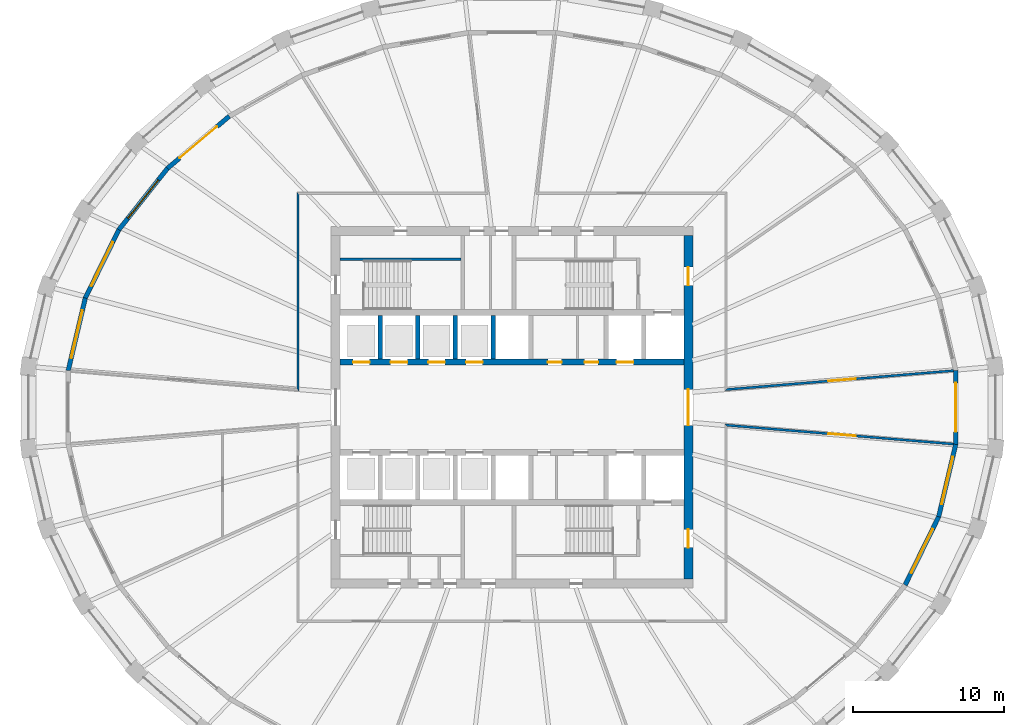
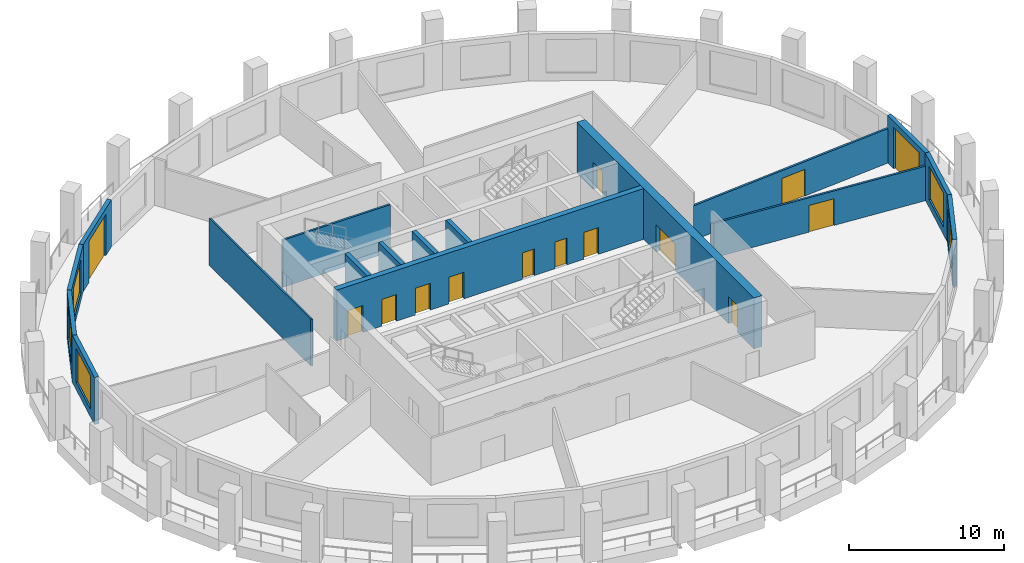
# One storey, part 5 of 10: 17 walls, 14 doors, 5 windows, 19 openings.
"""IFC4 building model written with IfcOpenShell, lengths in metres."""

from ifc_helpers import new_model, si_unit, direction, frame, frame_2d, origin, place, context, subcontext, project, spatial, polyline, rectangle, outline, extrude, material, layer, layer_set, type_object, element, fill, save


model = new_model("IFC4")

# Units and contexts
model_context = context("Model", 3, precision=1e-05, world=origin(), true_north=direction((0.0, 1.0)))
body_context = subcontext(model_context, "Body", "Model", "MODEL_VIEW")
ifc_project = project(units=[si_unit("LENGTHUNIT", "METRE"), si_unit("AREAUNIT", "SQUARE_METRE"), si_unit("VOLUMEUNIT", "CUBIC_METRE"), si_unit("PLANEANGLEUNIT", "RADIAN"), si_unit("MASSUNIT", "GRAM", prefix="KILO")], contexts=[model_context])

# Site, building, storey
site_placement = place(None, origin())
site = spatial("IfcSite", under=ifc_project, at=site_placement, CompositionType="ELEMENT")
building_placement = place(site_placement, origin())
building = spatial("IfcBuilding", under=site, at=building_placement, Name="Halqa Exchange Tower", CompositionType="ELEMENT")
storey_placement = place(building_placement, frame((0.0, 0.0, 202.89990234375)))
storey = spatial("IfcBuildingStorey", under=building, at=storey_placement, Name="L46", CompositionType="ELEMENT", Elevation=202.89990234375)

# Wall, opening, door
ifc_material_1 = material(Name="Fire-rated gypsum board")
ifc_layer_1 = layer(ifc_material_1, 0.14990234375)
ifc_layer_set_1 = layer_set([ifc_layer_1], Name="Fire-rated gypsum board")
wall_type_1 = type_object("IfcWallType", Name="Fire partition EI 60 150", PredefinedType="PARTITIONING", material=ifc_layer_set_1)
wall_1_placement = place(storey_placement, frame((14.118896484375, 1.173095703125, 0.0), z_axis=(0.0, 0.0, 1.0), x_axis=(0.996562771728, 0.082841064731, 0.0)))
wall_1 = element("IfcWall", 1, at=wall_1_placement, inside=storey, type_object=wall_type_1, Name="L46-PWL-019", PredefinedType="PARTITIONING", context=body_context, shape_type="SweptSolid", body=[
    extrude(outline(polyline([(15.2216796875, -0.074951171875), (15.2216796875, 0.044677734375), (15.217041015625, 0.074951171875), (13.33544921875, 0.074951171875), (11.45361328125, 0.074951171875), (9.57177734375, 0.074951171875), (7.68994140625, 0.074951171875), (5.80810546875, 0.074951171875), (3.92626953125, 0.074951171875), (2.04443359375, 0.074951171875), (0.16259765625, 0.074951171875), (0.081298828125, 0.000244140625), (0.0, -0.07470703125), (0.0, -0.074951171875), (1.90283203125, -0.074951171875), (3.805419921875, -0.074951171875), (5.7080078125, -0.074951171875), (7.61083984375, -0.074951171875), (9.513671875, -0.074951171875), (11.416259765625, -0.074951171875), (13.31884765625, -0.074951171875), (15.2216796875, -0.074951171875)])), origin(), (0.0, 0.0, 1.0), 2.710205078125),
])
opening_1_placement = place(wall_1_placement, frame((6.907958984375, 0.0, 0.0)))
opening_1 = element("IfcOpeningElement", 2, at=opening_1_placement, cuts=wall_1, Name="Opening 14-08", PredefinedType="OPENING", context=body_context, shape_type="SweptSolid", body=[
    extrude(rectangle(XDim=1.800048828125, YDim=2.10009765625, at=frame_2d((0.89990234375, 1.050048828125))), frame((0.0, 0.0869140625, 0.0), z_axis=(0.0, -1.0, 0.0), x_axis=(1.0, 0.0, 0.0)), (0.0, 0.0, 1.0), 0.173828125),
])
ifc_material_2 = material(Name="Steel fire door leaf", Category="steel")
door_type_1 = type_object("IfcDoorType", Name="Fire door FD30S double 1800 x 2100", OperationType="DOUBLE_DOOR_SINGLE_SWING", PredefinedType="DOOR", material=ifc_material_2)
door_1_placement = place(opening_1_placement, origin())
door_1 = element("IfcDoor", 3, at=door_1_placement, inside=storey, type_object=door_type_1, Name="L46-IDR-008", OperationType="DOUBLE_DOOR_SINGLE_SWING", OverallHeight=2.10009765625, OverallWidth=1.800048828125, PredefinedType="DOOR", context=body_context, shape_type="SweptSolid", body=[
    extrude(rectangle(XDim=1.800048828125, YDim=2.10009765625, at=frame_2d((0.89990234375, 1.050048828125))), frame((0.0, 0.02490234375, 0.0), z_axis=(0.0, -1.0, 0.0), x_axis=(1.0, 0.0, 0.0)), (0.0, 0.0, 1.0), 0.050048828125),
])
fill(opening_1, door_1)

wall_2_placement = place(storey_placement, frame((29.288330078125, -2.43408203125, 0.0), z_axis=(0.0, 0.0, 1.0), x_axis=(-0.996562771728, 0.082841064731, 0.0)))
wall_2 = element("IfcWall", 4, at=wall_2_placement, inside=storey, type_object=wall_type_1, Name="L46-PWL-021", PredefinedType="PARTITIONING", context=body_context, shape_type="SweptSolid", body=[
    extrude(outline(polyline([(15.2216796875, -0.074951171875), (15.2216796875, -0.07470703125), (15.140380859375, 0.000244140625), (15.05908203125, 0.074951171875), (13.17724609375, 0.074951171875), (11.29541015625, 0.074951171875), (9.41357421875, 0.074951171875), (7.53173828125, 0.074951171875), (5.650146484375, 0.074951171875), (3.768310546875, 0.074951171875), (1.886474609375, 0.074951171875), (0.004638671875, 0.074951171875), (0.0, 0.044189453125), (0.0, -0.074951171875), (1.90283203125, -0.074951171875), (3.805419921875, -0.074951171875), (5.7080078125, -0.074951171875), (7.61083984375, -0.074951171875), (9.513671875, -0.074951171875), (11.416259765625, -0.074951171875), (13.31884765625, -0.074951171875), (15.2216796875, -0.074951171875)])), origin(), (0.0, 0.0, 1.0), 2.710205078125),
])
opening_2_placement = place(wall_2_placement, frame((6.513916015625, 0.0, 0.0)))
opening_2 = element("IfcOpeningElement", 5, at=opening_2_placement, cuts=wall_2, Name="Opening 14-07", PredefinedType="OPENING", context=body_context, shape_type="SweptSolid", body=[
    extrude(rectangle(XDim=1.800048828125, YDim=2.10009765625, at=frame_2d((0.89990234375, 1.050048828125))), frame((0.0, 0.0869140625, 0.0), z_axis=(0.0, -1.0, 0.0), x_axis=(1.0, 0.0, 0.0)), (0.0, 0.0, 1.0), 0.173828125),
])
door_2_placement = place(opening_2_placement, origin())
door_2 = element("IfcDoor", 6, at=door_2_placement, inside=storey, type_object=door_type_1, Name="L46-IDR-007", OperationType="DOUBLE_DOOR_SINGLE_SWING", OverallHeight=2.10009765625, OverallWidth=1.800048828125, PredefinedType="DOOR", context=body_context, shape_type="SweptSolid", body=[
    extrude(rectangle(XDim=1.800048828125, YDim=2.10009765625, at=frame_2d((0.89990234375, 1.050048828125))), frame((0.0, 0.02490234375, 0.0), z_axis=(0.0, -1.0, 0.0), x_axis=(1.0, 0.0, 0.0)), (0.0, 0.0, 1.0), 0.050048828125),
])
fill(opening_2, door_2)

# Walls
ifc_material_3 = material(Name="Fire-rated glazing", Category="glass")
ifc_layer_2 = layer(ifc_material_3, 0.1201171875)
ifc_layer_set_2 = layer_set([ifc_layer_2], Name="Fire-rated glazing")
wall_type_2 = type_object("IfcWallType", Name="Glazed fire partition EI 60 120", PredefinedType="PARTITIONING", material=ifc_layer_set_2)
wall_3_placement = place(storey_placement, frame((-14.199951171875, 1.11474609375, 0.0), z_axis=(0.0, 0.0, 1.0), x_axis=(0.0, 1.0, 0.0)))
element("IfcWall", 7, at=wall_3_placement, inside=storey, type_object=wall_type_2, Name="L46-PWL-007", PredefinedType="PARTITIONING", context=body_context, shape_type="SweptSolid", body=[
    extrude(outline(polyline([(0.0, -0.06005859375), (1.86083984375, -0.06005859375), (3.721435546875, -0.06005859375), (5.582275390625, -0.06005859375), (7.44287109375, -0.06005859375), (9.3037109375, -0.06005859375), (11.164306640625, -0.06005859375), (13.025146484375, -0.06005859375), (13.145263671875, 0.06005859375), (11.285888671875, 0.06005859375), (9.4267578125, 0.06005859375), (7.5673828125, 0.06005859375), (5.708251953125, 0.06005859375), (3.848876953125, 0.06005859375), (1.98974609375, 0.06005859375), (0.13037109375, 0.06005859375), (0.0, -0.06005859375), (0.0, -0.06005859375)])), origin(), (0.0, 0.0, 1.0), 3.7001953125),
])
ifc_material_4 = material(Name="Concrete C60/75", Category="concrete")
ifc_layer_3 = layer(ifc_material_4, 0.300048828125)
ifc_layer_set_3 = layer_set([ifc_layer_3], Name="Concrete C60/75")
wall_type_3 = type_object("IfcWallType", Name="RC core wall 300", PredefinedType="SHEAR", material=ifc_layer_set_3)
for number, where, z_axis, x_axis, name in (
    (8, (-8.75, 3.199951171875, 0.0), (0.0, 0.0, 1.0), (0.0, 1.0, 0.0), "Shaft divider N1"),
    (9, (-6.25, 3.199951171875, 0.0), (0.0, 0.0, 1.0), (0.0, 1.0, 0.0), "Shaft divider N2"),
    (10, (-3.75, 3.199951171875, 0.0), (0.0, 0.0, 1.0), (0.0, 1.0, 0.0), "Shaft divider N3"),
    (11, (-1.25, 3.199951171875, 0.0), (0.0, 0.0, 1.0), (0.0, 1.0, 0.0), "Shaft divider N4"),
):
    element("IfcWall", number, at=place(storey_placement, frame(where, z_axis=z_axis, x_axis=x_axis)), inside=storey, type_object=wall_type_3, Name=name, PredefinedType="SHEAR", context=body_context, shape_type="SweptSolid", body=[
        extrude(rectangle(XDim=2.900146484375, YDim=0.300048828125, at=frame_2d((1.4501953125, 0.0))), origin(), (0.0, 0.0, 1.0), 4.0),
    ])

# Wall, openings, doors
ifc_material_5 = material(Name="Concrete C70/85", Category="concrete")
ifc_layer_4 = layer(ifc_material_5, 0.39990234375)
ifc_layer_set_4 = layer_set([ifc_layer_4], Name="Concrete C70/85")
wall_type_4 = type_object("IfcWallType", Name="RC core wall 400 C70/85", PredefinedType="SHEAR", material=ifc_layer_set_4)
wall_4_placement = place(storey_placement, frame((-11.39990234375, 3.0, 0.0), z_axis=(0.0, 0.0, 1.0), x_axis=(1.0, 0.0, 0.0)))
wall_4 = element("IfcWall", 12, at=wall_4_placement, inside=storey, type_object=wall_type_4, Name="Lift row front wall N", PredefinedType="SHEAR", context=body_context, shape_type="SweptSolid", body=[
    extrude(rectangle(XDim=22.7998046875, YDim=0.39990234375, at=frame_2d((11.39990234375, 0.0))), origin(), (0.0, 0.0, 1.0), 4.0),
])
opening_3_placement = place(wall_4_placement, frame((0.85009765625, 0.0, 0.0)))
opening_3 = element("IfcOpeningElement", 13, at=opening_3_placement, cuts=wall_4, Name="Opening LD-HR1-T14", PredefinedType="OPENING", context=body_context, shape_type="SweptSolid", body=[
    extrude(rectangle(XDim=1.10009765625, YDim=2.10009765625, at=frame_2d((0.550048828125, 1.050048828125))), frame((0.0, 0.2119140625, 0.0), z_axis=(0.0, -1.0, 0.0), x_axis=(1.0, 0.0, 0.0)), (0.0, 0.0, 1.0), 0.423828125),
])
opening_4_placement = place(wall_4_placement, frame((3.35009765625, 0.0, 0.0)))
opening_4 = element("IfcOpeningElement", 14, at=opening_4_placement, cuts=wall_4, Name="Opening LD-HR2-T14", PredefinedType="OPENING", context=body_context, shape_type="SweptSolid", body=[
    extrude(rectangle(XDim=1.10009765625, YDim=2.10009765625, at=frame_2d((0.550048828125, 1.050048828125))), frame((0.0, 0.2119140625, 0.0), z_axis=(0.0, -1.0, 0.0), x_axis=(1.0, 0.0, 0.0)), (0.0, 0.0, 1.0), 0.423828125),
])
opening_5_placement = place(wall_4_placement, frame((5.85009765625, 0.0, 0.0)))
opening_5 = element("IfcOpeningElement", 15, at=opening_5_placement, cuts=wall_4, Name="Opening LD-MR1-T14", PredefinedType="OPENING", context=body_context, shape_type="SweptSolid", body=[
    extrude(rectangle(XDim=1.10009765625, YDim=2.10009765625, at=frame_2d((0.550048828125, 1.050048828125))), frame((0.0, 0.2119140625, 0.0), z_axis=(0.0, -1.0, 0.0), x_axis=(1.0, 0.0, 0.0)), (0.0, 0.0, 1.0), 0.423828125),
])
opening_6_placement = place(wall_4_placement, frame((8.35009765625, 0.0, 0.0)))
opening_6 = element("IfcOpeningElement", 16, at=opening_6_placement, cuts=wall_4, Name="Opening LD-MR2-T14", PredefinedType="OPENING", context=body_context, shape_type="SweptSolid", body=[
    extrude(rectangle(XDim=1.10009765625, YDim=2.10009765625, at=frame_2d((0.550048828125, 1.050048828125))), frame((0.0, 0.2119140625, 0.0), z_axis=(0.0, -1.0, 0.0), x_axis=(1.0, 0.0, 0.0)), (0.0, 0.0, 1.0), 0.423828125),
])
opening_7_placement = place(wall_4_placement, frame((18.35009765625, 0.0, 0.0)))
opening_7 = element("IfcOpeningElement", 17, at=opening_7_placement, cuts=wall_4, Name="Opening LD-SV1-T14", PredefinedType="OPENING", context=body_context, shape_type="SweptSolid", body=[
    extrude(rectangle(XDim=1.10009765625, YDim=2.10009765625, at=frame_2d((0.550048828125, 1.050048828125))), frame((0.0, 0.2119140625, 0.0), z_axis=(0.0, -1.0, 0.0), x_axis=(1.0, 0.0, 0.0)), (0.0, 0.0, 1.0), 0.423828125),
])
opening_8_placement = place(wall_4_placement, frame((13.78759765625, 0.0, 0.0)))
opening_8 = element("IfcOpeningElement", 18, at=opening_8_placement, cuts=wall_4, Name="Opening T14-C31", PredefinedType="OPENING", context=body_context, shape_type="SweptSolid", body=[
    extrude(rectangle(XDim=0.89990234375, YDim=2.10009765625, at=frame_2d((0.449951171875, 1.050048828125))), frame((0.0, 0.2119140625, 0.0), z_axis=(0.0, -1.0, 0.0), x_axis=(1.0, 0.0, 0.0)), (0.0, 0.0, 1.0), 0.423828125),
])
opening_9_placement = place(wall_4_placement, frame((16.21240234375, 0.0, 0.0)))
opening_9 = element("IfcOpeningElement", 19, at=opening_9_placement, cuts=wall_4, Name="Opening T14-C32", PredefinedType="OPENING", context=body_context, shape_type="SweptSolid", body=[
    extrude(rectangle(XDim=0.89990234375, YDim=2.10009765625, at=frame_2d((0.449951171875, 1.050048828125))), frame((0.0, 0.2119140625, 0.0), z_axis=(0.0, -1.0, 0.0), x_axis=(1.0, 0.0, 0.0)), (0.0, 0.0, 1.0), 0.423828125),
])
ifc_material_6 = material(Name="Timber fire door leaf", Category="wood")
door_type_2 = type_object("IfcDoorType", Name="Core room door FD30 900 x 2100", OperationType="SINGLE_SWING_LEFT", PredefinedType="DOOR", material=ifc_material_6)
door_3_placement = place(opening_8_placement, origin())
door_3 = element("IfcDoor", 20, at=door_3_placement, inside=storey, type_object=door_type_2, Name="Core room door", OperationType="SINGLE_SWING_RIGHT", OverallHeight=2.10009765625, OverallWidth=0.89990234375, PredefinedType="DOOR", context=body_context, shape_type="SweptSolid", body=[
    extrude(rectangle(XDim=0.89990234375, YDim=2.10009765625, at=frame_2d((0.449951171875, 1.050048828125))), frame((0.0, 0.02490234375, 0.0), z_axis=(0.0, -1.0, 0.0), x_axis=(1.0, 0.0, 0.0)), (0.0, 0.0, 1.0), 0.050048828125),
])
fill(opening_8, door_3)
door_4_placement = place(opening_9_placement, origin())
door_4 = element("IfcDoor", 21, at=door_4_placement, inside=storey, type_object=door_type_2, Name="Core room door", OperationType="SINGLE_SWING_RIGHT", OverallHeight=2.10009765625, OverallWidth=0.89990234375, PredefinedType="DOOR", context=body_context, shape_type="SweptSolid", body=[
    extrude(rectangle(XDim=0.89990234375, YDim=2.10009765625, at=frame_2d((0.449951171875, 1.050048828125))), frame((0.0, 0.02490234375, 0.0), z_axis=(0.0, -1.0, 0.0), x_axis=(1.0, 0.0, 0.0)), (0.0, 0.0, 1.0), 0.050048828125),
])
fill(opening_9, door_4)
ifc_material_7 = material(Name="Stainless steel", Category="steel")
door_type_3 = type_object("IfcDoorType", Name="Lift landing door 1100 x 2100", OperationType="SLIDING_TO_LEFT", PredefinedType="DOOR", material=ifc_material_7)
door_5_placement = place(opening_3_placement, origin())
door_5 = element("IfcDoor", 22, at=door_5_placement, inside=storey, type_object=door_type_3, Name="Lift landing door HR1", OperationType="SLIDING_TO_LEFT", OverallHeight=2.10009765625, OverallWidth=1.10009765625, PredefinedType="DOOR", context=body_context, shape_type="SweptSolid", body=[
    extrude(rectangle(XDim=1.10009765625, YDim=2.10009765625, at=frame_2d((0.550048828125, 1.050048828125))), frame((0.0, 0.02490234375, 0.0), z_axis=(0.0, -1.0, 0.0), x_axis=(1.0, 0.0, 0.0)), (0.0, 0.0, 1.0), 0.050048828125),
])
fill(opening_3, door_5)
door_6_placement = place(opening_4_placement, origin())
door_6 = element("IfcDoor", 23, at=door_6_placement, inside=storey, type_object=door_type_3, Name="Lift landing door HR2", OperationType="SLIDING_TO_LEFT", OverallHeight=2.10009765625, OverallWidth=1.10009765625, PredefinedType="DOOR", context=body_context, shape_type="SweptSolid", body=[
    extrude(rectangle(XDim=1.10009765625, YDim=2.10009765625, at=frame_2d((0.550048828125, 1.050048828125))), frame((0.0, 0.02490234375, 0.0), z_axis=(0.0, -1.0, 0.0), x_axis=(1.0, 0.0, 0.0)), (0.0, 0.0, 1.0), 0.050048828125),
])
fill(opening_4, door_6)
door_7_placement = place(opening_5_placement, origin())
door_7 = element("IfcDoor", 24, at=door_7_placement, inside=storey, type_object=door_type_3, Name="Lift landing door MR1", OperationType="SLIDING_TO_LEFT", OverallHeight=2.10009765625, OverallWidth=1.10009765625, PredefinedType="DOOR", context=body_context, shape_type="SweptSolid", body=[
    extrude(rectangle(XDim=1.10009765625, YDim=2.10009765625, at=frame_2d((0.550048828125, 1.050048828125))), frame((0.0, 0.02490234375, 0.0), z_axis=(0.0, -1.0, 0.0), x_axis=(1.0, 0.0, 0.0)), (0.0, 0.0, 1.0), 0.050048828125),
])
fill(opening_5, door_7)
door_8_placement = place(opening_6_placement, origin())
door_8 = element("IfcDoor", 25, at=door_8_placement, inside=storey, type_object=door_type_3, Name="Lift landing door MR2", OperationType="SLIDING_TO_LEFT", OverallHeight=2.10009765625, OverallWidth=1.10009765625, PredefinedType="DOOR", context=body_context, shape_type="SweptSolid", body=[
    extrude(rectangle(XDim=1.10009765625, YDim=2.10009765625, at=frame_2d((0.550048828125, 1.050048828125))), frame((0.0, 0.02490234375, 0.0), z_axis=(0.0, -1.0, 0.0), x_axis=(1.0, 0.0, 0.0)), (0.0, 0.0, 1.0), 0.050048828125),
])
fill(opening_6, door_8)
door_9_placement = place(opening_7_placement, origin())
door_9 = element("IfcDoor", 26, at=door_9_placement, inside=storey, type_object=door_type_3, Name="Lift landing door SV1", OperationType="SLIDING_TO_LEFT", OverallHeight=2.10009765625, OverallWidth=1.10009765625, PredefinedType="DOOR", context=body_context, shape_type="SweptSolid", body=[
    extrude(rectangle(XDim=1.10009765625, YDim=2.10009765625, at=frame_2d((0.550048828125, 1.050048828125))), frame((0.0, 0.02490234375, 0.0), z_axis=(0.0, -1.0, 0.0), x_axis=(1.0, 0.0, 0.0)), (0.0, 0.0, 1.0), 0.050048828125),
])
fill(opening_7, door_9)

ifc_layer_5 = layer(ifc_material_5, 0.60009765625)
ifc_layer_set_5 = layer_set([ifc_layer_5], Name="Concrete C70/85")
wall_type_5 = type_object("IfcWallType", Name="RC core wall 600 C70/85", PredefinedType="SHEAR", material=ifc_layer_set_5)
wall_5_placement = place(storey_placement, frame((11.699951171875, -11.39990234375, 0.0), z_axis=(0.0, 0.0, 1.0), x_axis=(0.0, 1.0, 0.0)))
wall_5 = element("IfcWall", 27, at=wall_5_placement, inside=storey, type_object=wall_type_5, Name="Core wall east", PredefinedType="SHEAR", context=body_context, shape_type="SweptSolid", body=[
    extrude(rectangle(XDim=22.7998046875, YDim=0.60009765625, at=frame_2d((11.39990234375, 0.0))), origin(), (0.0, 0.0, 1.0), 4.0),
])
opening_10_placement = place(wall_5_placement, frame((10.199951171875, 0.0, 0.0)))
opening_10 = element("IfcOpeningElement", 28, at=opening_10_placement, cuts=wall_5, Name="Opening T14-C14", PredefinedType="OPENING", context=body_context, shape_type="SweptSolid", body=[
    extrude(rectangle(XDim=2.39990234375, YDim=2.10009765625, at=frame_2d((1.199951171875, 1.050048828125))), frame((0.0, 0.31201171875, 0.0), z_axis=(0.0, -1.0, 0.0), x_axis=(1.0, 0.0, 0.0)), (0.0, 0.0, 1.0), 0.6240234375),
])
opening_11_placement = place(wall_5_placement, frame((19.5, 0.0, 0.0)))
opening_11 = element("IfcOpeningElement", 29, at=opening_11_placement, cuts=wall_5, Name="Opening T14-C19", PredefinedType="OPENING", context=body_context, shape_type="SweptSolid", body=[
    extrude(rectangle(XDim=1.199951171875, YDim=2.10009765625, at=frame_2d((0.60009765625, 1.050048828125))), frame((0.0, 0.31201171875, 0.0), z_axis=(0.0, -1.0, 0.0), x_axis=(1.0, 0.0, 0.0)), (0.0, 0.0, 1.0), 0.6240234375),
])
opening_12_placement = place(wall_5_placement, frame((2.10009765625, 0.0, 0.0)))
opening_12 = element("IfcOpeningElement", 30, at=opening_12_placement, cuts=wall_5, Name="Opening T14-C20", PredefinedType="OPENING", context=body_context, shape_type="SweptSolid", body=[
    extrude(rectangle(XDim=1.199951171875, YDim=2.10009765625, at=frame_2d((0.60009765625, 1.050048828125))), frame((0.0, 0.31201171875, 0.0), z_axis=(0.0, -1.0, 0.0), x_axis=(1.0, 0.0, 0.0)), (0.0, 0.0, 1.0), 0.6240234375),
])
door_type_4 = type_object("IfcDoorType", Name="Firefighting lobby door FD90 1200 x 2100", OperationType="SINGLE_SWING_RIGHT", PredefinedType="DOOR", material=ifc_material_2)
door_10_placement = place(opening_11_placement, origin())
door_10 = element("IfcDoor", 31, at=door_10_placement, inside=storey, type_object=door_type_4, Name="Firefighting lobby door", OperationType="SINGLE_SWING_RIGHT", OverallHeight=2.10009765625, OverallWidth=1.199951171875, PredefinedType="DOOR", context=body_context, shape_type="SweptSolid", body=[
    extrude(rectangle(XDim=1.199951171875, YDim=2.10009765625, at=frame_2d((0.60009765625, 1.050048828125))), frame((0.0, 0.02490234375, 0.0), z_axis=(0.0, -1.0, 0.0), x_axis=(1.0, 0.0, 0.0)), (0.0, 0.0, 1.0), 0.050048828125),
])
fill(opening_11, door_10)
door_11_placement = place(opening_12_placement, origin())
door_11 = element("IfcDoor", 32, at=door_11_placement, inside=storey, type_object=door_type_4, Name="Firefighting lobby door", OperationType="SINGLE_SWING_LEFT", OverallHeight=2.10009765625, OverallWidth=1.199951171875, PredefinedType="DOOR", context=body_context, shape_type="SweptSolid", body=[
    extrude(rectangle(XDim=1.199951171875, YDim=2.10009765625, at=frame_2d((0.60009765625, 1.050048828125))), frame((0.0, 0.02490234375, 0.0), z_axis=(0.0, -1.0, 0.0), x_axis=(1.0, 0.0, 0.0)), (0.0, 0.0, 1.0), 0.050048828125),
])
fill(opening_12, door_11)
door_type_5 = type_object("IfcDoorType", Name="Lobby double door FD60 2400 x 2100", OperationType="DOUBLE_DOOR_SINGLE_SWING", PredefinedType="DOOR", material=ifc_material_2)
door_12_placement = place(opening_10_placement, origin())
door_12 = element("IfcDoor", 33, at=door_12_placement, inside=storey, type_object=door_type_5, Name="Lift lobby double door", OperationType="DOUBLE_DOOR_SINGLE_SWING", OverallHeight=2.10009765625, OverallWidth=2.39990234375, PredefinedType="DOOR", context=body_context, shape_type="SweptSolid", body=[
    extrude(rectangle(XDim=2.39990234375, YDim=2.10009765625, at=frame_2d((1.199951171875, 1.050048828125))), frame((0.0, 0.02490234375, 0.0), z_axis=(0.0, -1.0, 0.0), x_axis=(1.0, 0.0, 0.0)), (0.0, 0.0, 1.0), 0.050048828125),
])
fill(opening_10, door_12)

# Wall
ifc_material_8 = material(Name="Concrete C30/37", Category="concrete")
ifc_layer_6 = layer(ifc_material_8, 0.14990234375)
ifc_layer_set_6 = layer_set([ifc_layer_6], Name="Concrete C30/37")
wall_type_6 = type_object("IfcWallType", Name="RC stair wall 150 C30/37", PredefinedType="SHEAR", material=ifc_layer_set_6)
wall_6_placement = place(storey_placement, frame((-11.39990234375, 9.824951171875, 0.0), z_axis=(0.0, 0.0, 1.0), x_axis=(1.0, 0.0, 0.0)))
element("IfcWall", 34, at=wall_6_placement, inside=storey, type_object=wall_type_6, Name="Stair ST1 north wall N", PredefinedType="SHEAR", context=body_context, shape_type="SweptSolid", body=[
    extrude(rectangle(XDim=8.0, YDim=0.14990234375, at=frame_2d((4.0, 0.0))), origin(), (0.0, 0.0, 1.0), 3.7001953125),
])

# Wall, opening, door
ifc_material_9 = material(Name="Limestone cladding", Category="masonry")
ifc_layer_7 = layer(ifc_material_9, 0.0400390625)
ifc_material_10 = material(Name="Ventilated cavity")
ifc_layer_8 = layer(ifc_material_10, 0.030029296875, ventilated=True)
ifc_material_11 = material(Name="Mineral wool insulation")
ifc_layer_9 = layer(ifc_material_11, 0.10009765625)
ifc_layer_10 = layer(ifc_material_8, 0.10009765625)
ifc_material_12 = material(Name="Internal plaster")
ifc_layer_11 = layer(ifc_material_12, 0.030029296875)
ifc_layer_set_7 = layer_set([ifc_layer_7, ifc_layer_8, ifc_layer_9, ifc_layer_10, ifc_layer_11], Name="Stone-faced insulated wall 300")
wall_type_7 = type_object("IfcWallType", Name="Stone-faced insulated wall 300", PredefinedType="STANDARD", material=ifc_layer_set_7)
wall_7_placement = place(storey_placement, frame((-18.760498046875, 19.318603515625, 0.0), z_axis=(0.0, 0.0, 1.0), x_axis=(-0.764386053229, -0.6447588399, 0.0)))
wall_7 = element("IfcWall", 35, at=wall_7_placement, inside=storey, type_object=wall_type_7, Name="Glass-line wall 12", PredefinedType="STANDARD", context=body_context, shape_type="SweptSolid", body=[
    extrude(outline(polyline([(-0.01416015625, -0.14990234375), (5.382568359375, -0.14990234375), (5.352294921875, 0.14990234375), (0.01416015625, 0.14990234375), (-0.01416015625, -0.14990234375)])), origin(), (0.0, 0.0, 1.0), 3.7001953125),
])
opening_13_placement = place(wall_7_placement, frame((1.058837890625, 0.0, 0.0)))
opening_13 = element("IfcOpeningElement", 36, at=opening_13_placement, cuts=wall_7, Name="Opening LG-F3-03", PredefinedType="OPENING", context=body_context, shape_type="SweptSolid", body=[
    extrude(rectangle(XDim=3.25, YDim=3.25, at=frame_2d((1.625, 1.625))), frame((0.0, 0.162109375, 0.0), z_axis=(0.0, -1.0, 0.0), x_axis=(1.0, 0.0, 0.0)), (0.0, 0.0, 1.0), 0.323974609375),
])
ifc_material_13 = material(Name="Clear low-emissivity glass in aluminium frame", Category="aluminium")
door_type_6 = type_object("IfcDoorType", Name="Glazed sliding loggia door 3250 x 3250", OperationType="DOUBLE_DOOR_SLIDING", PredefinedType="DOOR", material=ifc_material_13)
door_13_placement = place(opening_13_placement, origin())
door_13 = element("IfcDoor", 37, at=door_13_placement, inside=storey, type_object=door_type_6, Name="Loggia door 3", OperationType="DOUBLE_DOOR_SLIDING", OverallHeight=3.25, OverallWidth=3.25, PredefinedType="DOOR", context=body_context, shape_type="SweptSolid", body=[
    extrude(rectangle(XDim=3.25, YDim=3.25, at=frame_2d((1.625, 1.625))), frame((0.0, 0.02490234375, 0.0), z_axis=(0.0, -1.0, 0.0), x_axis=(1.0, 0.0, 0.0)), (0.0, 0.0, 1.0), 0.050048828125),
])
fill(opening_13, door_13)

# Wall, opening, window
wall_8_placement = place(storey_placement, frame((-22.86328125, 15.85791015625, 0.0), z_axis=(0.0, 0.0, 1.0), x_axis=(-0.620870264345, -0.783913333763, 0.0)))
wall_8 = element("IfcWall", 38, at=wall_8_placement, inside=storey, type_object=wall_type_7, Name="Glass-line wall 13", PredefinedType="STANDARD", context=body_context, shape_type="SweptSolid", body=[
    extrude(outline(polyline([(-0.01513671875, -0.14990234375), (5.210693359375, -0.14990234375), (5.178466796875, 0.14990234375), (0.01513671875, 0.14990234375), (-0.01513671875, -0.14990234375)])), origin(), (0.0, 0.0, 1.0), 3.7001953125),
])
opening_14_placement = place(wall_8_placement, frame((0.97216796875, 0.0, 0.60009765625)))
opening_14 = element("IfcOpeningElement", 39, at=opening_14_placement, cuts=wall_8, Name="Opening W-F3-13", PredefinedType="OPENING", context=body_context, shape_type="SweptSolid", body=[
    extrude(rectangle(XDim=3.25, YDim=2.64990234375, at=frame_2d((1.625, 1.324951171875))), frame((0.0, 0.162109375, 0.0), z_axis=(0.0, -1.0, 0.0), x_axis=(1.0, 0.0, 0.0)), (0.0, 0.0, 1.0), 0.323974609375),
])
window_type = type_object("IfcWindowType", Name="Fixed clear glazed window 3250 x 2650", PartitioningType="TRIPLE_PANEL_VERTICAL", PredefinedType="WINDOW", material=ifc_material_13)
window_1_placement = place(opening_14_placement, origin())
window_1 = element("IfcWindow", 40, at=window_1_placement, inside=storey, type_object=window_type, Name="Window 3", OverallHeight=2.64990234375, OverallWidth=3.25, PartitioningType="TRIPLE_PANEL_VERTICAL", PredefinedType="WINDOW", context=body_context, shape_type="SweptSolid", body=[
    extrude(rectangle(XDim=3.25, YDim=2.64990234375, at=frame_2d((1.625, 1.324951171875))), frame((0.0, 0.030029296875, 0.0), z_axis=(0.0, -1.0, 0.0), x_axis=(1.0, 0.0, 0.0)), (0.0, 0.0, 1.0), 0.06005859375),
])
fill(opening_14, window_1)

wall_9_placement = place(storey_placement, frame((-26.08837890625, 11.785888671875, 0.0), z_axis=(0.0, 0.0, 1.0), x_axis=(-0.440773193145, -0.89761851151, 0.0)))
wall_9 = element("IfcWall", 41, at=wall_9_placement, inside=storey, type_object=wall_type_7, Name="Glass-line wall 14", PredefinedType="STANDARD", context=body_context, shape_type="SweptSolid", body=[
    extrude(outline(polyline([(-0.01611328125, -0.14990234375), (5.06005859375, -0.14990234375), (5.0263671875, 0.14990234375), (0.01611328125, 0.14990234375), (-0.01611328125, -0.14990234375)])), origin(), (0.0, 0.0, 1.0), 3.7001953125),
])
opening_15_placement = place(wall_9_placement, frame((0.896484375, 0.0, 0.60009765625)))
opening_15 = element("IfcOpeningElement", 42, at=opening_15_placement, cuts=wall_9, Name="Opening W-F3-14", PredefinedType="OPENING", context=body_context, shape_type="SweptSolid", body=[
    extrude(rectangle(XDim=3.25, YDim=2.64990234375, at=frame_2d((1.625, 1.324951171875))), frame((0.0, 0.162109375, 0.0), z_axis=(0.0, -1.0, 0.0), x_axis=(1.0, 0.0, 0.0)), (0.0, 0.0, 1.0), 0.323974609375),
])
window_2_placement = place(opening_15_placement, origin())
window_2 = element("IfcWindow", 43, at=window_2_placement, inside=storey, type_object=window_type, Name="Window 3", OverallHeight=2.64990234375, OverallWidth=3.25, PartitioningType="TRIPLE_PANEL_VERTICAL", PredefinedType="WINDOW", context=body_context, shape_type="SweptSolid", body=[
    extrude(rectangle(XDim=3.25, YDim=2.64990234375, at=frame_2d((1.625, 1.324951171875))), frame((0.0, 0.030029296875, 0.0), z_axis=(0.0, -1.0, 0.0), x_axis=(1.0, 0.0, 0.0)), (0.0, 0.0, 1.0), 0.06005859375),
])
fill(opening_15, window_2)

wall_10_placement = place(storey_placement, frame((-28.311279296875, 7.259033203125, 0.0), z_axis=(0.0, 0.0, 1.0), x_axis=(-0.229535186351, -0.973300363828, 0.0)))
wall_10 = element("IfcWall", 44, at=wall_10_placement, inside=storey, type_object=wall_type_7, Name="Glass-line wall 15", PredefinedType="STANDARD", context=body_context, shape_type="SweptSolid", body=[
    extrude(outline(polyline([(-0.016845703125, -0.14990234375), (4.956787109375, -0.14990234375), (4.922119140625, 0.14990234375), (0.016845703125, 0.14990234375), (-0.016845703125, -0.14990234375)])), origin(), (0.0, 0.0, 1.0), 3.7001953125),
])
opening_16_placement = place(wall_10_placement, frame((0.8447265625, 0.0, 0.60009765625)))
opening_16 = element("IfcOpeningElement", 45, at=opening_16_placement, cuts=wall_10, Name="Opening W-F3-15", PredefinedType="OPENING", context=body_context, shape_type="SweptSolid", body=[
    extrude(rectangle(XDim=3.25, YDim=2.64990234375, at=frame_2d((1.625, 1.324951171875))), frame((0.0, 0.162109375, 0.0), z_axis=(0.0, -1.0, 0.0), x_axis=(1.0, 0.0, 0.0)), (0.0, 0.0, 1.0), 0.323974609375),
])
window_3_placement = place(opening_16_placement, origin())
window_3 = element("IfcWindow", 46, at=window_3_placement, inside=storey, type_object=window_type, Name="Window 3", OverallHeight=2.64990234375, OverallWidth=3.25, PartitioningType="TRIPLE_PANEL_VERTICAL", PredefinedType="WINDOW", context=body_context, shape_type="SweptSolid", body=[
    extrude(rectangle(XDim=3.25, YDim=2.64990234375, at=frame_2d((1.625, 1.324951171875))), frame((0.0, 0.030029296875, 0.0), z_axis=(0.0, -1.0, 0.0), x_axis=(1.0, 0.0, 0.0)), (0.0, 0.0, 1.0), 0.06005859375),
])
fill(opening_16, window_3)

wall_11_placement = place(storey_placement, frame((26.08837890625, -11.785888671875, 0.0), z_axis=(0.0, 0.0, 1.0), x_axis=(0.440773193145, 0.89761851151, 0.0)))
wall_11 = element("IfcWall", 47, at=wall_11_placement, inside=storey, type_object=wall_type_7, Name="Glass-line wall 30", PredefinedType="STANDARD", context=body_context, shape_type="SweptSolid", body=[
    extrude(outline(polyline([(-0.01611328125, -0.14990234375), (5.06005859375, -0.14990234375), (5.0263671875, 0.14990234375), (0.01611328125, 0.14990234375), (-0.01611328125, -0.14990234375)])), origin(), (0.0, 0.0, 1.0), 3.7001953125),
])
opening_17_placement = place(wall_11_placement, frame((0.896484375, 0.0, 0.60009765625)))
opening_17 = element("IfcOpeningElement", 48, at=opening_17_placement, cuts=wall_11, Name="Opening W-F3-30", PredefinedType="OPENING", context=body_context, shape_type="SweptSolid", body=[
    extrude(rectangle(XDim=3.25, YDim=2.64990234375, at=frame_2d((1.625, 1.324951171875))), frame((0.0, 0.162109375, 0.0), z_axis=(0.0, -1.0, 0.0), x_axis=(1.0, 0.0, 0.0)), (0.0, 0.0, 1.0), 0.323974609375),
])
window_4_placement = place(opening_17_placement, origin())
window_4 = element("IfcWindow", 49, at=window_4_placement, inside=storey, type_object=window_type, Name="Window 3", OverallHeight=2.64990234375, OverallWidth=3.25, PartitioningType="TRIPLE_PANEL_VERTICAL", PredefinedType="WINDOW", context=body_context, shape_type="SweptSolid", body=[
    extrude(rectangle(XDim=3.25, YDim=2.64990234375, at=frame_2d((1.625, 1.324951171875))), frame((0.0, 0.030029296875, 0.0), z_axis=(0.0, -1.0, 0.0), x_axis=(1.0, 0.0, 0.0)), (0.0, 0.0, 1.0), 0.06005859375),
])
fill(opening_17, window_4)

wall_12_placement = place(storey_placement, frame((28.311279296875, -7.259033203125, 0.0), z_axis=(0.0, 0.0, 1.0), x_axis=(0.229535186351, 0.973300363828, 0.0)))
wall_12 = element("IfcWall", 50, at=wall_12_placement, inside=storey, type_object=wall_type_7, Name="Glass-line wall 31", PredefinedType="STANDARD", context=body_context, shape_type="SweptSolid", body=[
    extrude(outline(polyline([(-0.016845703125, -0.14990234375), (4.956787109375, -0.14990234375), (4.922119140625, 0.14990234375), (0.016845703125, 0.14990234375), (-0.016845703125, -0.14990234375)])), origin(), (0.0, 0.0, 1.0), 3.7001953125),
])
opening_18_placement = place(wall_12_placement, frame((0.8447265625, 0.0, 0.60009765625)))
opening_18 = element("IfcOpeningElement", 51, at=opening_18_placement, cuts=wall_12, Name="Opening W-F3-31", PredefinedType="OPENING", context=body_context, shape_type="SweptSolid", body=[
    extrude(rectangle(XDim=3.25, YDim=2.64990234375, at=frame_2d((1.625, 1.324951171875))), frame((0.0, 0.162109375, 0.0), z_axis=(0.0, -1.0, 0.0), x_axis=(1.0, 0.0, 0.0)), (0.0, 0.0, 1.0), 0.323974609375),
])
window_5_placement = place(opening_18_placement, origin())
window_5 = element("IfcWindow", 52, at=window_5_placement, inside=storey, type_object=window_type, Name="Window 3", OverallHeight=2.64990234375, OverallWidth=3.25, PartitioningType="TRIPLE_PANEL_VERTICAL", PredefinedType="WINDOW", context=body_context, shape_type="SweptSolid", body=[
    extrude(rectangle(XDim=3.25, YDim=2.64990234375, at=frame_2d((1.625, 1.324951171875))), frame((0.0, 0.030029296875, 0.0), z_axis=(0.0, -1.0, 0.0), x_axis=(1.0, 0.0, 0.0)), (0.0, 0.0, 1.0), 0.06005859375),
])
fill(opening_18, window_5)

# Wall, opening, door
wall_13_placement = place(storey_placement, frame((29.445068359375, -2.451416015625, 0.0), z_axis=(0.0, 0.0, 1.0), x_axis=(0.0, 1.0, 0.0)))
wall_13 = element("IfcWall", 53, at=wall_13_placement, inside=storey, type_object=wall_type_7, Name="Glass-line wall 32", PredefinedType="STANDARD", context=body_context, shape_type="SweptSolid", body=[
    extrude(outline(polyline([(-0.017333984375, -0.14990234375), (4.920166015625, -0.14990234375), (4.885498046875, 0.14990234375), (0.017333984375, 0.14990234375), (-0.017333984375, -0.14990234375)])), origin(), (0.0, 0.0, 1.0), 3.7001953125),
])
opening_19_placement = place(wall_13_placement, frame((0.826416015625, 0.0, 0.0)))
opening_19 = element("IfcOpeningElement", 54, at=opening_19_placement, cuts=wall_13, Name="Opening LG-F3-08", PredefinedType="OPENING", context=body_context, shape_type="SweptSolid", body=[
    extrude(rectangle(XDim=3.25, YDim=3.25, at=frame_2d((1.625, 1.625))), frame((0.0, 0.162109375, 0.0), z_axis=(0.0, -1.0, 0.0), x_axis=(1.0, 0.0, 0.0)), (0.0, 0.0, 1.0), 0.323974609375),
])
door_14_placement = place(opening_19_placement, origin())
door_14 = element("IfcDoor", 55, at=door_14_placement, inside=storey, type_object=door_type_6, Name="Loggia door 8", OperationType="DOUBLE_DOOR_SLIDING", OverallHeight=3.25, OverallWidth=3.25, PredefinedType="DOOR", context=body_context, shape_type="SweptSolid", body=[
    extrude(rectangle(XDim=3.25, YDim=3.25, at=frame_2d((1.625, 1.625))), frame((0.0, 0.02490234375, 0.0), z_axis=(0.0, -1.0, 0.0), x_axis=(1.0, 0.0, 0.0)), (0.0, 0.0, 1.0), 0.050048828125),
])
fill(opening_19, door_14)

save(model, "model.ifc")
